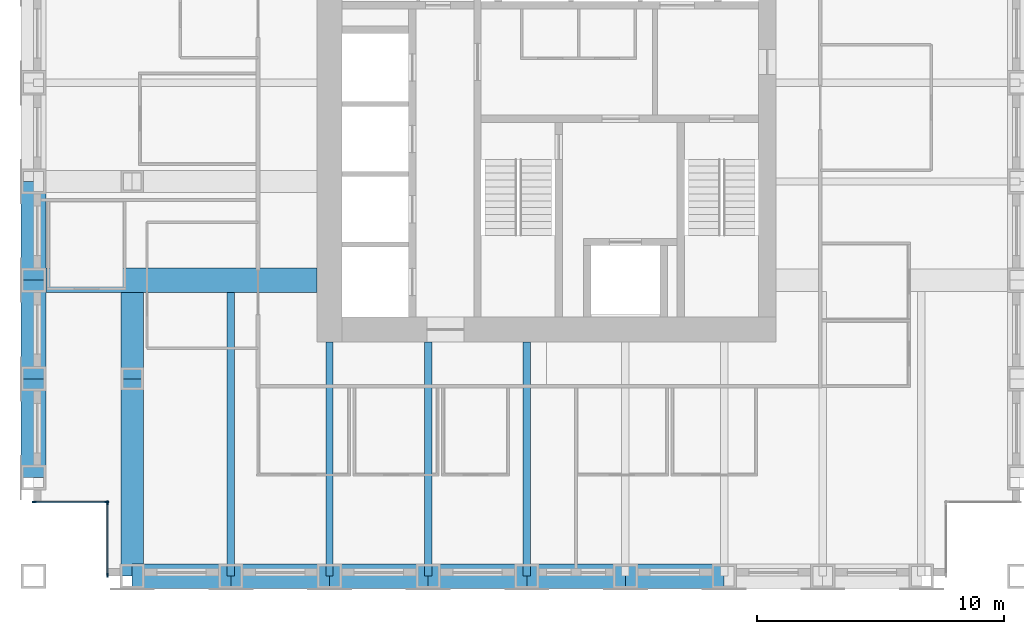
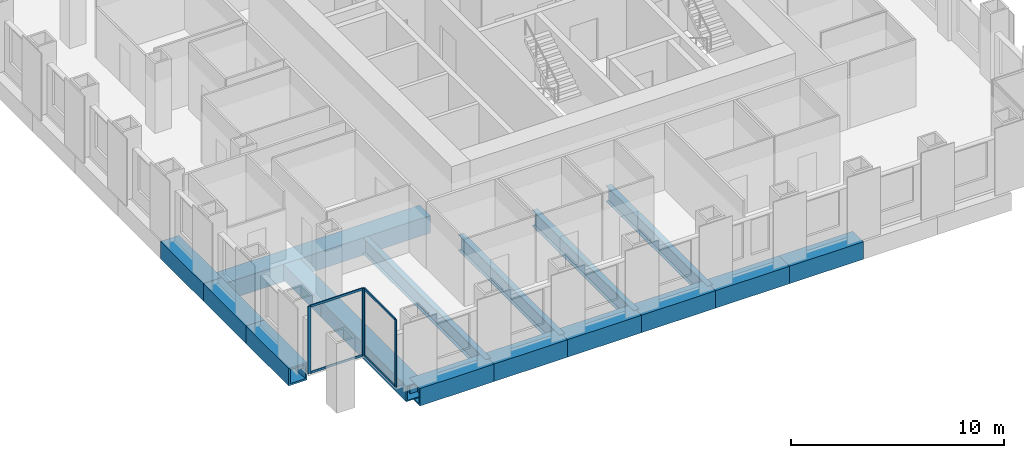
# One storey, part 2 of 14: 16 beams, 8 members, 2 elements without a shape of their own.
"""IFC4 building model written with IfcOpenShell, lengths in metres."""

import ifcopenshell
import ifcopenshell.guid

model = None  # the IFC model being written
_history = None  # IfcOwnerHistory: only IFC2X3 demands one
_inside = {}  # id of a spatial element -> (the spatial element, [elements in it])
_under = {}  # id of a project, library or spatial element -> (it, [spatial elements below it])
_declared = {}  # id of a project -> (the project, [libraries it declares])
_typed = {}  # id of a type object -> (the type object, [elements of that type])
_made_of = {}  # id of a material, layer set ... -> (it, [elements and type objects made of it])


def new_model(schema):
    """Start an empty IFC model of exactly this schema.

    Asked for "IFC4X3", IfcOpenShell would pick the latest addendum, in which some entities
    have other attributes; the version numbers below select the first issue.
    IFC2X3 requires an IfcOwnerHistory on every rooted entity: one is made here for all.
    """
    global model, _history
    if schema == "IFC4X3":
        model = ifcopenshell.file(schema_version=(4, 3, 0, 0))
    else:
        model = ifcopenshell.file(schema=schema)
    _inside.clear()
    _under.clear()
    _declared.clear()
    _typed.clear()
    _made_of.clear()
    _history = None
    if model.schema == "IFC2X3":
        org = make("IfcOrganization", Name="unknown")
        user = make(
            "IfcPersonAndOrganization",
            ThePerson=make("IfcPerson", FamilyName="unknown"),
            TheOrganization=org,
        )
        app = make(
            "IfcApplication",
            ApplicationDeveloper=org,
            Version="unknown",
            ApplicationFullName="unknown",
            ApplicationIdentifier="unknown",
        )
        _history = make(
            "IfcOwnerHistory",
            OwningUser=user,
            OwningApplication=app,
            ChangeAction="ADDED",
            CreationDate=0,
        )
    return model


def make(cls, **values):
    """One entity of the class cls with the attributes given. An attribute that is None is left unset."""
    return model.create_entity(
        cls, **{name: value for name, value in values.items() if value is not None}
    )


def rooted(cls, **values):
    """An entity with a GlobalId (a new one), such as an element, a storey or a relation."""
    return make(cls, GlobalId=ifcopenshell.guid.new(), OwnerHistory=_history, **values)


def si_unit(unit_type, name, prefix=None):
    """IfcSIUnit, for example si_unit("LENGTHUNIT", "METRE", prefix="MILLI")."""
    return make("IfcSIUnit", UnitType=unit_type, Prefix=prefix, Name=name)


def assignment(units):
    """IfcUnitAssignment: the units of a project."""
    return None if units is None else make("IfcUnitAssignment", Units=units)


def point(xyz):
    """IfcCartesianPoint."""
    return None if xyz is None else make("IfcCartesianPoint", Coordinates=xyz)


def direction(xyz):
    """IfcDirection."""
    return None if xyz is None else make("IfcDirection", DirectionRatios=xyz)


def frame(location, z_axis=None, x_axis=None):
    """IfcAxis2Placement3D, a coordinate frame: its origin and axes. An axis left out is left unset."""
    return make(
        "IfcAxis2Placement3D",
        Location=point(location),
        Axis=direction(z_axis),
        RefDirection=direction(x_axis),
    )


def frame_2d(location, x_axis=None):
    """IfcAxis2Placement2D, a coordinate frame in the plane: its origin and x axis."""
    return make(
        "IfcAxis2Placement2D", Location=point(location), RefDirection=direction(x_axis)
    )


def origin():
    """The frame at (0, 0, 0) with its axes left unset."""
    return frame((0.0, 0.0, 0.0))


def origin_2d():
    """The frame at (0, 0) in the plane with its x axis left unset."""
    return frame_2d((0.0, 0.0))


def place(relative_to, where):
    """IfcLocalPlacement: puts the frame where relative to a parent placement (None: the world)."""
    return make(
        "IfcLocalPlacement", PlacementRelTo=relative_to, RelativePlacement=where
    )


def context(
    kind, dimensions, precision=None, world=None, true_north=None, identifier=None
):
    """IfcGeometricRepresentationContext, for example the 3D "Model" context."""
    return make(
        "IfcGeometricRepresentationContext",
        ContextIdentifier=identifier,
        ContextType=kind,
        CoordinateSpaceDimension=dimensions,
        Precision=precision,
        WorldCoordinateSystem=world,
        TrueNorth=true_north,
    )


def subcontext(parent, identifier, kind, view, scale=None):
    """IfcGeometricRepresentationSubContext, for example "Body" below "Model"."""
    return make(
        "IfcGeometricRepresentationSubContext",
        ContextIdentifier=identifier,
        ContextType=kind,
        ParentContext=parent,
        TargetScale=scale,
        TargetView=view,
    )


def project(units=None, contexts=None):
    """IfcProject with its units and contexts."""
    return rooted(
        "IfcProject",
        Name="project",
        RepresentationContexts=contexts,
        UnitsInContext=assignment(units),
    )


def spatial(cls, under=None, at=None, **own):
    """A site, building, storey or space (cls), placed at a placement, below another one or the project."""
    s = rooted(cls, ObjectPlacement=at, **own)
    if under is not None:
        _under.setdefault(under.id(), (under, []))[1].append(s)
    return s


def profile(cls, at=None, kind="AREA", **sizes):
    """A parametric profile (cls). Its sizes go by their IFC names, for example OverallWidth=200.0."""
    return make(cls, ProfileType=kind, Position=at, **sizes)


def rectangle(**sizes):
    """IfcRectangleProfileDef."""
    return profile("IfcRectangleProfileDef", **sizes)


def hollow_rectangle(**sizes):
    """IfcRectangleHollowProfileDef."""
    return profile("IfcRectangleHollowProfileDef", **sizes)


def i_section(**sizes):
    """IfcIShapeProfileDef."""
    return profile("IfcIShapeProfileDef", **sizes)


def extrude(swept, where, along, depth):
    """IfcExtrudedAreaSolid: the profile swept, set in the frame where, extruded along a direction by depth."""
    return make(
        "IfcExtrudedAreaSolid",
        SweptArea=swept,
        Position=where,
        ExtrudedDirection=direction(along),
        Depth=depth,
    )


def shape(context_of_items, identifier, shape_type, items):
    """IfcShapeRepresentation: the items that make up one representation, for example the "Body"."""
    return make(
        "IfcShapeRepresentation",
        ContextOfItems=context_of_items,
        RepresentationIdentifier=identifier,
        RepresentationType=shape_type,
        Items=items,
    )


def material(Name=None, Category=None):
    """IfcMaterial."""
    return make("IfcMaterial", Name=Name, Category=Category)


def material_profile(
    of_material, cross_section, Name=None, Category=None, Priority=None
):
    """IfcMaterialProfile: a cross section and its material."""
    return make(
        "IfcMaterialProfile",
        Name=Name,
        Material=of_material,
        Profile=cross_section,
        Priority=Priority,
        Category=Category,
    )


def profile_set(profiles, Name=None, composite=None):
    """IfcMaterialProfileSet."""
    return make(
        "IfcMaterialProfileSet",
        Name=Name,
        MaterialProfiles=profiles,
        CompositeProfile=composite,
    )


def made_of(thing, what):
    """Note that an element or type object is made of a material, layer set ...; save() writes the relation."""
    if what is not None:
        _made_of.setdefault(what.id(), (what, []))[1].append(thing)
    return thing


def type_object(cls, material=None, **own):
    """A type object (cls), such as IfcWallType, which elements share."""
    return made_of(rooted(cls, **own), material)


def element(
    cls,
    number,
    at=None,
    inside=None,
    cuts=None,
    type_object=None,
    material=None,
    context=None,
    identifier="Body",
    shape_type=None,
    held_by="IfcProductDefinitionShape",
    body=None,
    shapes=None,
    **own,
):
    """One element of the class cls, such as IfcWall. Its Tag is "e" and its number.

    at: its placement. inside: the storey or other place that contains it. cuts: it is an
    opening in that element (IfcRelVoidsElement). A single representation is given by context,
    identifier, shape_type and body (its items); several are given by shapes. held_by: the class
    of the entity that holds the representations. save() writes the other relations.
    """
    e = rooted(cls, Tag="e%d" % number, ObjectPlacement=at, **own)
    if body is not None:
        shapes = [shape(context, identifier, shape_type, body)]
    if shapes is not None:
        e.Representation = make(held_by, Representations=shapes)
    if inside is not None:
        _inside.setdefault(inside.id(), (inside, []))[1].append(e)
    if cuts is not None:
        rooted(
            "IfcRelVoidsElement", RelatingBuildingElement=cuts, RelatedOpeningElement=e
        )
    if type_object is not None:
        _typed.setdefault(type_object.id(), (type_object, []))[1].append(e)
    return made_of(e, material)


def aggregate(whole, parts):
    """IfcRelAggregates: a whole, such as a stair, and the parts it consists of."""
    return rooted("IfcRelAggregates", RelatingObject=whole, RelatedObjects=parts)


def save(model, path):
    """Write the relations noted so far, then the file.

    IfcRelAggregates (storeys below a building ...), IfcRelContainedInSpatialStructure (elements
    in a storey), IfcRelDefinesByType, IfcRelAssociatesMaterial and IfcRelDeclares: one each for
    every whole, place, type object, material and project.
    """
    for whole, parts in _under.values():
        aggregate(whole, parts)
    for where, things in _inside.values():
        rooted(
            "IfcRelContainedInSpatialStructure",
            RelatedElements=things,
            RelatingStructure=where,
        )
    for kind, things in _typed.values():
        rooted("IfcRelDefinesByType", RelatedObjects=things, RelatingType=kind)
    for what, things in _made_of.values():
        rooted("IfcRelAssociatesMaterial", RelatedObjects=things, RelatingMaterial=what)
    for by, libraries in _declared.values():
        rooted("IfcRelDeclares", RelatingContext=by, RelatedDefinitions=libraries)
    model.write(path)


model = new_model("IFC4")

# Units and contexts
model_context = context("Model", 3, precision=1e-05, world=origin(), true_north=direction((0.0, 1.0)))
body_context = subcontext(model_context, "Body", "Model", "MODEL_VIEW")
ifc_project = project(units=[si_unit("LENGTHUNIT", "METRE"), si_unit("AREAUNIT", "SQUARE_METRE"), si_unit("VOLUMEUNIT", "CUBIC_METRE"), si_unit("PLANEANGLEUNIT", "RADIAN"), si_unit("MASSUNIT", "GRAM", prefix="KILO")], contexts=[model_context])

# Site, building, storey
site_placement = place(None, origin())
site = spatial("IfcSite", under=ifc_project, at=site_placement, CompositionType="ELEMENT")
building_placement = place(site_placement, origin())
building = spatial("IfcBuilding", under=site, at=building_placement, Name="Rimbunsela Tower", CompositionType="ELEMENT")
storey_placement = place(building_placement, frame((0.0, 0.0, 179.800048828125)))
storey = spatial("IfcBuildingStorey", under=building, at=storey_placement, Name="L43", CompositionType="ELEMENT", Elevation=179.800048828125)

# Beams
ifc_material_1 = material(Name="Steel BJ 55 (fy 410 MPa)", Category="steel")
ifc_material_profile_1 = material_profile(ifc_material_1, hollow_rectangle(XDim=1.0, YDim=1.0, WallThickness=0.10009765625, at=origin_2d()), Name="BOX 1000x1000x100")
ifc_profile_set_1 = profile_set([ifc_material_profile_1], Name="Steel BJ 55 (fy 410 MPa)")
beam_type_1 = type_object("IfcBeamType", Name="Beam BOX 1000x1000x100", PredefinedType="BEAM", material=ifc_profile_set_1)
for number, where, z_axis, x_axis, name in (
    (1, (6.0, 12.0, -0.650146484375), (0.0, 1.0, 0.0), (-1.0, 0.0, 0.0), "Beam B3 L43"),
    (2, (6.0, 16.0, -0.650146484375), (0.0, 1.0, 0.0), (-1.0, 0.0, 0.0), "Beam B3 L43"),
    (3, (6.0, 20.0, -0.650146484375), (0.0, 1.0, 0.0), (-1.0, 0.0, 0.0), "Beam B3 L43"),
):
    element("IfcBeam", number, at=place(storey_placement, frame(where, z_axis=z_axis, x_axis=x_axis)), inside=storey, type_object=beam_type_1, Name=name, PredefinedType="BEAM", context=body_context, shape_type="SweptSolid", body=[
        extrude(hollow_rectangle(XDim=1.0, YDim=1.0, WallThickness=0.10009765625, at=origin_2d()), origin(), (0.0, 0.0, 1.0), 4.0),
    ])
beam_1_placement = place(storey_placement, frame((6.0, 20.0, -0.650146484375), z_axis=(1.0, 0.0, 0.0), x_axis=(0.0, 1.0, 0.0)))
element("IfcBeam", 4, at=beam_1_placement, inside=storey, type_object=beam_type_1, Name="Beam B3 L43", PredefinedType="BEAM", context=body_context, shape_type="SweptSolid", body=[
    extrude(hollow_rectangle(XDim=1.0, YDim=1.0, WallThickness=0.10009765625, at=origin_2d()), origin(), (0.0, 0.0, 1.0), 11.5),
])
for number, where, z_axis, x_axis, name in (
    (5, (10.0, 8.0, -0.650146484375), (1.0, 0.0, 0.0), (0.0, 1.0, 0.0), "Beam B3 L43"),
    (6, (14.0, 8.0, -0.650146484375), (1.0, 0.0, 0.0), (0.0, 1.0, 0.0), "Beam B3 L43"),
    (7, (18.0, 8.0, -0.650146484375), (1.0, 0.0, 0.0), (0.0, 1.0, 0.0), "Beam B3 L43"),
    (8, (22.0, 8.0, -0.650146484375), (1.0, 0.0, 0.0), (0.0, 1.0, 0.0), "Beam B3 L43"),
    (9, (26.0, 8.0, -0.650146484375), (1.0, 0.0, 0.0), (0.0, 1.0, 0.0), "Beam B3 L43"),
    (10, (30.0, 8.0, -0.650146484375), (1.0, 0.0, 0.0), (0.0, 1.0, 0.0), "Beam B3 L43"),
):
    element("IfcBeam", number, at=place(storey_placement, frame(where, z_axis=z_axis, x_axis=x_axis)), inside=storey, type_object=beam_type_1, Name=name, PredefinedType="BEAM", context=body_context, shape_type="SweptSolid", body=[
        extrude(hollow_rectangle(XDim=1.0, YDim=1.0, WallThickness=0.10009765625, at=origin_2d()), origin(), (0.0, 0.0, 1.0), 4.0),
    ])
ifc_material_2 = material(Name="Steel BJ 55 (fy 410 MPa)", Category="steel")
ifc_material_profile_2 = material_profile(ifc_material_2, hollow_rectangle(XDim=0.89990234375, YDim=0.89990234375, WallThickness=0.06005859375, at=origin_2d()), Name="BOX 900x900x60")
ifc_profile_set_2 = profile_set([ifc_material_profile_2], Name="Steel BJ 55 (fy 410 MPa)")
beam_type_2 = type_object("IfcBeamType", Name="Beam BOX 900x900x60", PredefinedType="BEAM", material=ifc_profile_set_2)
beam_2_placement = place(storey_placement, frame((10.0, 8.0, -0.60009765625), z_axis=(0.0, 1.0, 0.0), x_axis=(-1.0, 0.0, 0.0)))
element("IfcBeam", 11, at=beam_2_placement, inside=storey, type_object=beam_type_2, Name="Beam B1 L43", PredefinedType="BEAM", context=body_context, shape_type="SweptSolid", body=[
    extrude(hollow_rectangle(XDim=0.89990234375, YDim=0.89990234375, WallThickness=0.06005859375, at=origin_2d()), origin(), (0.0, 0.0, 1.0), 8.0),
])
beam_3_placement = place(storey_placement, frame((10.0, 16.0, -0.60009765625), z_axis=(0.0, 1.0, 0.0), x_axis=(-1.0, 0.0, 0.0)))
element("IfcBeam", 12, at=beam_3_placement, inside=storey, type_object=beam_type_2, Name="Beam B1 L43", PredefinedType="BEAM", context=body_context, shape_type="SweptSolid", body=[
    extrude(hollow_rectangle(XDim=0.89990234375, YDim=0.89990234375, WallThickness=0.06005859375, at=origin_2d()), origin(), (0.0, 0.0, 1.0), 3.5),
])
ifc_material_3 = material(Name="Steel BJ 55 (fy 410 MPa)", Category="steel")
ifc_material_profile_3 = material_profile(ifc_material_3, i_section(OverallWidth=0.300048828125, OverallDepth=0.89990234375, WebThickness=0.01611328125, FlangeThickness=0.028076171875, FilletRadius=0.028076171875, at=origin_2d()), Name="H 900x300x16x28")
ifc_profile_set_3 = profile_set([ifc_material_profile_3], Name="Steel BJ 55 (fy 410 MPa)")
beam_type_3 = type_object("IfcBeamType", Name="Beam H 900x300x16x28", PredefinedType="BEAM", material=ifc_profile_set_3)
beam_4_placement = place(storey_placement, frame((14.0, 8.0, -0.60009765625), z_axis=(0.0, 1.0, 0.0), x_axis=(-1.0, 0.0, 0.0)))
element("IfcBeam", 13, at=beam_4_placement, inside=storey, type_object=beam_type_3, Name="Beam B2 L43", PredefinedType="BEAM", context=body_context, shape_type="SweptSolid", body=[
    extrude(i_section(OverallWidth=0.300048828125, OverallDepth=0.89990234375, WebThickness=0.01611328125, FlangeThickness=0.028076171875, FilletRadius=0.028076171875, at=origin_2d()), origin(), (0.0, 0.0, 1.0), 11.5),
])
for number, where, z_axis, x_axis, name in (
    (14, (18.0, 8.0, -0.60009765625), (0.0, 1.0, 0.0), (-1.0, 0.0, 0.0), "Beam B2 L43"),
    (15, (22.0, 8.0, -0.60009765625), (0.0, 1.0, 0.0), (-1.0, 0.0, 0.0), "Beam B2 L43"),
    (16, (26.0, 8.0, -0.60009765625), (0.0, 1.0, 0.0), (-1.0, 0.0, 0.0), "Beam B2 L43"),
):
    element("IfcBeam", number, at=place(storey_placement, frame(where, z_axis=z_axis, x_axis=x_axis)), inside=storey, type_object=beam_type_3, Name=name, PredefinedType="BEAM", context=body_context, shape_type="SweptSolid", body=[
        extrude(i_section(OverallWidth=0.300048828125, OverallDepth=0.89990234375, WebThickness=0.01611328125, FlangeThickness=0.028076171875, FilletRadius=0.028076171875, at=origin_2d()), origin(), (0.0, 0.0, 1.0), 9.5),
    ])

# Curtain wall, members
ifc_material_4 = material(Name="Aluminium curtain wall", Category="aluminium")
curtain_wall_type = type_object("IfcCurtainWallType", Name="Corner glazing", PredefinedType="USERDEFINED", material=ifc_material_4)
curtain_wall_1_placement = place(storey_placement, origin())
curtain_wall_1 = element("IfcCurtainWall", 17, at=curtain_wall_1_placement, inside=storey, type_object=curtain_wall_type, Name="Corner glazing L43", ObjectType="CORNER GLAZING", PredefinedType="USERDEFINED")
ifc_material_5 = material(Name="Aluminium mullion", Category="aluminium")
ifc_material_profile_4 = material_profile(ifc_material_5, rectangle(XDim=0.06005859375, YDim=0.159912109375, at=origin_2d()), Name="Mullion 60x160")
ifc_profile_set_4 = profile_set([ifc_material_profile_4], Name="Aluminium mullion")
member_type_1 = type_object("IfcMemberType", Name="Curtain wall mullion 60x160", PredefinedType="MULLION", material=ifc_profile_set_4)
member_1_placement = place(storey_placement, frame((6.030029296875, 11.0, 0.0), z_axis=(0.0, 0.0, 1.0), x_axis=(0.0, 1.0, 0.0)))
member_1 = element("IfcMember", 18, at=member_1_placement, type_object=member_type_1, Name="CW5 mullion 1", PredefinedType="MULLION", context=body_context, shape_type="SweptSolid", body=[
    extrude(rectangle(XDim=0.06005859375, YDim=0.159912109375, at=origin_2d()), origin(), (0.0, 0.0, 1.0), 3.849853515625),
])
member_2_placement = place(storey_placement, frame((8.969970703125, 11.0, 0.0), z_axis=(0.0, 0.0, 1.0), x_axis=(0.0, 1.0, 0.0)))
member_2 = element("IfcMember", 19, at=member_2_placement, type_object=member_type_1, Name="CW5 mullion 2", PredefinedType="MULLION", context=body_context, shape_type="SweptSolid", body=[
    extrude(rectangle(XDim=0.06005859375, YDim=0.159912109375, at=origin_2d()), origin(), (0.0, 0.0, 1.0), 3.849853515625),
])

curtain_wall_2_placement = place(storey_placement, origin())
curtain_wall_2 = element("IfcCurtainWall", 20, at=curtain_wall_2_placement, inside=storey, type_object=curtain_wall_type, Name="Corner glazing L43", ObjectType="CORNER GLAZING", PredefinedType="USERDEFINED")
member_3_placement = place(storey_placement, frame((9.0, 10.969970703125, 0.0), z_axis=(0.0, 0.0, 1.0), x_axis=(1.0, 0.0, 0.0)))
member_3 = element("IfcMember", 21, at=member_3_placement, type_object=member_type_1, Name="CW5 mullion 1", PredefinedType="MULLION", context=body_context, shape_type="SweptSolid", body=[
    extrude(rectangle(XDim=0.06005859375, YDim=0.159912109375, at=origin_2d()), origin(), (0.0, 0.0, 1.0), 3.849853515625),
])
member_4_placement = place(storey_placement, frame((9.0, 8.030029296875, 0.0), z_axis=(0.0, 0.0, 1.0), x_axis=(1.0, 0.0, 0.0)))
member_4 = element("IfcMember", 22, at=member_4_placement, type_object=member_type_1, Name="CW5 mullion 2", PredefinedType="MULLION", context=body_context, shape_type="SweptSolid", body=[
    extrude(rectangle(XDim=0.06005859375, YDim=0.159912109375, at=origin_2d()), origin(), (0.0, 0.0, 1.0), 3.849853515625),
])

# Member
ifc_material_6 = material(Name="Aluminium transom", Category="aluminium")
ifc_material_profile_5 = material_profile(ifc_material_6, rectangle(XDim=0.06005859375, YDim=0.1201171875, at=origin_2d()), Name="Transom 60x120")
ifc_profile_set_5 = profile_set([ifc_material_profile_5], Name="Aluminium transom")
member_type_2 = type_object("IfcMemberType", Name="Curtain wall transom 60x120", PredefinedType="USERDEFINED", material=ifc_profile_set_5)
member_5_placement = place(storey_placement, frame((6.06005859375, 11.0, 0.030029296875), z_axis=(1.0, 0.0, 0.0), x_axis=(0.0, 1.0, 0.0)))
member_5 = element("IfcMember", 23, at=member_5_placement, type_object=member_type_2, Name="CW5 transom 1.1", ObjectType="TRANSOM", PredefinedType="USERDEFINED", context=body_context, shape_type="SweptSolid", body=[
    extrude(rectangle(XDim=0.06005859375, YDim=0.1201171875, at=origin_2d()), origin(), (0.0, 0.0, 1.0), 2.8798828125),
])

member_6_placement = place(storey_placement, frame((6.06005859375, 11.0, 3.820068359375), z_axis=(1.0, 0.0, 0.0), x_axis=(0.0, 1.0, 0.0)))
member_6 = element("IfcMember", 24, at=member_6_placement, type_object=member_type_2, Name="CW5 transom 1.2", ObjectType="TRANSOM", PredefinedType="USERDEFINED", context=body_context, shape_type="SweptSolid", body=[
    extrude(rectangle(XDim=0.06005859375, YDim=0.1201171875, at=origin_2d()), origin(), (0.0, 0.0, 1.0), 2.8798828125),
])

aggregate(curtain_wall_1, [member_1, member_2, member_5, member_6])

member_7_placement = place(storey_placement, frame((9.0, 10.93994140625, 0.030029296875), z_axis=(0.0, -1.0, 0.0), x_axis=(1.0, 0.0, 0.0)))
member_7 = element("IfcMember", 25, at=member_7_placement, type_object=member_type_2, Name="CW5 transom 1.1", ObjectType="TRANSOM", PredefinedType="USERDEFINED", context=body_context, shape_type="SweptSolid", body=[
    extrude(rectangle(XDim=0.06005859375, YDim=0.1201171875, at=origin_2d()), origin(), (0.0, 0.0, 1.0), 2.8798828125),
])

member_8_placement = place(storey_placement, frame((9.0, 10.93994140625, 3.820068359375), z_axis=(0.0, -1.0, 0.0), x_axis=(1.0, 0.0, 0.0)))
member_8 = element("IfcMember", 26, at=member_8_placement, type_object=member_type_2, Name="CW5 transom 1.2", ObjectType="TRANSOM", PredefinedType="USERDEFINED", context=body_context, shape_type="SweptSolid", body=[
    extrude(rectangle(XDim=0.06005859375, YDim=0.1201171875, at=origin_2d()), origin(), (0.0, 0.0, 1.0), 2.8798828125),
])

aggregate(curtain_wall_2, [member_3, member_4, member_7, member_8])

save(model, "model.ifc")
